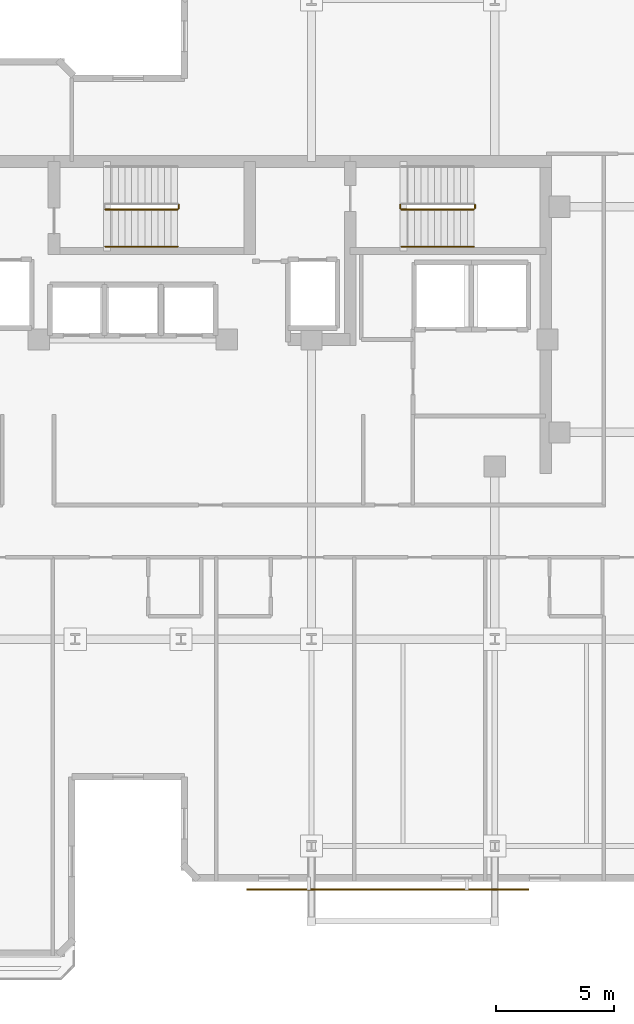
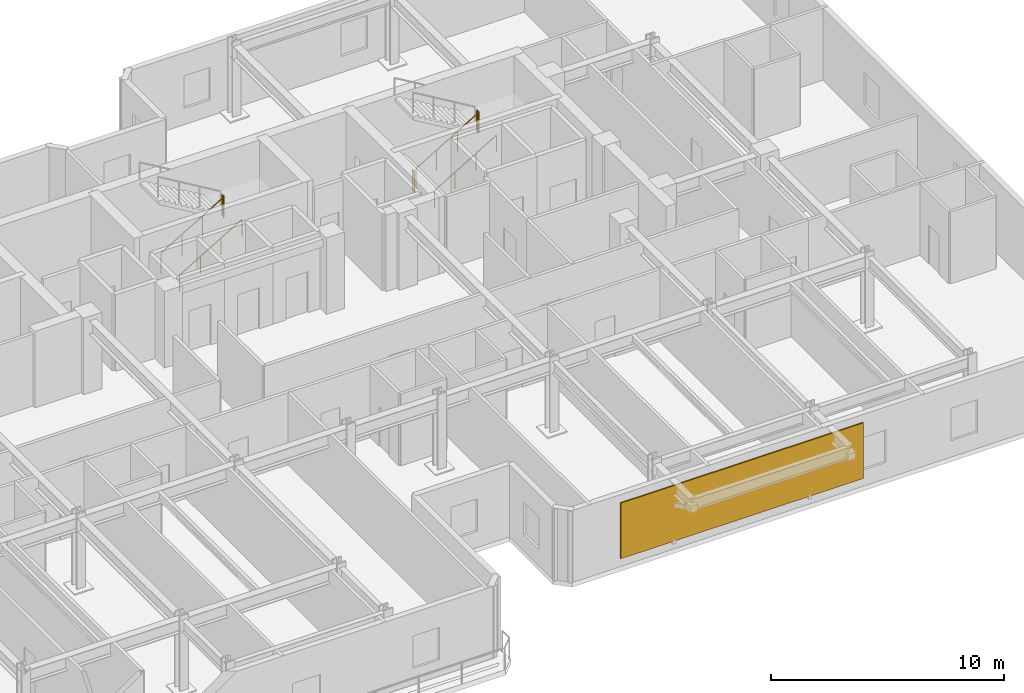
# One storey, part 12 of 13: 7 railings, 1 shading device.
"""IFC4 building model written with IfcOpenShell, lengths in metres."""

from ifc_helpers import new_model, si_unit, direction, frame, origin, origin_2d, place, context, subcontext, project, spatial, rectangle, circle, extrude, material, layer, layer_set, type_object, element, save


model = new_model("IFC4")

# Units and contexts
model_context = context("Model", 3, precision=1e-05, world=origin(), true_north=direction((0.0, 1.0)))
body_context = subcontext(model_context, "Body", "Model", "MODEL_VIEW")
ifc_project = project(units=[si_unit("LENGTHUNIT", "METRE"), si_unit("AREAUNIT", "SQUARE_METRE"), si_unit("VOLUMEUNIT", "CUBIC_METRE"), si_unit("PLANEANGLEUNIT", "RADIAN"), si_unit("MASSUNIT", "GRAM", prefix="KILO")], contexts=[model_context])

# Site, building, storey
site_placement = place(None, origin())
site = spatial("IfcSite", under=ifc_project, at=site_placement, CompositionType="ELEMENT")
building_placement = place(site_placement, origin())
building = spatial("IfcBuilding", under=site, at=building_placement, Name="Kestravale Grand Hotel", CompositionType="ELEMENT")
storey_placement = place(building_placement, frame((0.0, 0.0, 245.39990234375)))
storey = spatial("IfcBuildingStorey", under=building, at=storey_placement, Name="L61", CompositionType="ELEMENT", Elevation=245.39990234375)

# Railings
ifc_material_1 = material(Name="Painted tubular steel stair well guard", Category="steel")
railing_type_1 = type_object("IfcRailingType", Name="RL-ST-GRD1100", PredefinedType="GUARDRAIL", material=ifc_material_1)
railing_1_placement = place(storey_placement, frame((38.030029296875, 38.280029296875, 0.166748046875)))
element("IfcRailing", 1, at=railing_1_placement, inside=storey, type_object=railing_type_1, Name="L61 ST-2 stair guard 1", PredefinedType="GUARDRAIL", context=body_context, shape_type="SweptSolid", body=[
    extrude(circle(Radius=0.02392578125, at=origin_2d()), frame((0.0, 0.0, 1.076171875), z_axis=(0.859308565015, 0.0, 0.511457515432), x_axis=(0.0, 1.0, 0.0)), (0.0, 0.0, 1.0), 3.58447265625),
    extrude(circle(Radius=0.02099609375, at=origin_2d()), origin(), (0.0, 0.0, 1.0), 1.052001953125),
    extrude(circle(Radius=0.02099609375, at=origin_2d()), frame((1.026611328125, 0.0, 0.611083984375)), (0.0, 0.0, 1.0), 1.052001953125),
    extrude(circle(Radius=0.02099609375, at=origin_2d()), frame((2.053466796875, 0.0, 1.22216796875)), (0.0, 0.0, 1.0), 1.052001953125),
    extrude(circle(Radius=0.02099609375, at=origin_2d()), frame((3.080078125, 0.0, 1.833251953125)), (0.0, 0.0, 1.0), 1.052001953125),
])
railing_2_placement = place(storey_placement, frame((41.159912109375, 38.330078125, 2.0)))
element("IfcRailing", 2, at=railing_2_placement, inside=storey, type_object=railing_type_1, Name="L61 ST-2 stair guard 2", PredefinedType="GUARDRAIL", context=body_context, shape_type="SweptSolid", body=[
    extrude(circle(Radius=0.02392578125, at=origin_2d()), frame((0.0, 0.0, 1.076171875), z_axis=(0.0, 1.0, 0.0), x_axis=(-1.0, 0.0, 0.0)), (0.0, 0.0, 1.0), 0.14990234375),
    extrude(circle(Radius=0.02099609375, at=origin_2d()), origin(), (0.0, 0.0, 1.0), 1.052001953125),
    extrude(circle(Radius=0.02099609375, at=origin_2d()), frame((0.0, 0.14990234375, 0.0)), (0.0, 0.0, 1.0), 1.052001953125),
])
railing_3_placement = place(storey_placement, frame((50.6298828125, 38.280029296875, 0.166748046875)))
element("IfcRailing", 3, at=railing_3_placement, inside=storey, type_object=railing_type_1, Name="L61 ST-3 stair guard 1", PredefinedType="GUARDRAIL", context=body_context, shape_type="SweptSolid", body=[
    extrude(circle(Radius=0.02392578125, at=origin_2d()), frame((0.0, 0.0, 1.076171875), z_axis=(0.859308565015, 0.0, 0.511457515432), x_axis=(0.0, 1.0, 0.0)), (0.0, 0.0, 1.0), 3.58447265625),
    extrude(circle(Radius=0.02099609375, at=origin_2d()), origin(), (0.0, 0.0, 1.0), 1.052001953125),
    extrude(circle(Radius=0.02099609375, at=origin_2d()), frame((1.026611328125, 0.0, 0.611083984375)), (0.0, 0.0, 1.0), 1.052001953125),
    extrude(circle(Radius=0.02099609375, at=origin_2d()), frame((2.053466796875, 0.0, 1.22216796875)), (0.0, 0.0, 1.0), 1.052001953125),
    extrude(circle(Radius=0.02099609375, at=origin_2d()), frame((3.080078125, 0.0, 1.833251953125)), (0.0, 0.0, 1.0), 1.052001953125),
])
for number, where, name in (
    (4, (53.760009765625, 38.330078125, 2.0), "L61 ST-3 stair guard 2"),
    (5, (50.580078125, 38.330078125, 0.0), "L61 ST-3 stair guard 4"),
):
    element("IfcRailing", number, at=place(storey_placement, frame(where)), inside=storey, type_object=railing_type_1, Name=name, PredefinedType="GUARDRAIL", context=body_context, shape_type="SweptSolid", body=[
        extrude(circle(Radius=0.02392578125, at=origin_2d()), frame((0.0, 0.0, 1.076171875), z_axis=(0.0, 1.0, 0.0), x_axis=(-1.0, 0.0, 0.0)), (0.0, 0.0, 1.0), 0.14990234375),
        extrude(circle(Radius=0.02099609375, at=origin_2d()), origin(), (0.0, 0.0, 1.0), 1.052001953125),
        extrude(circle(Radius=0.02099609375, at=origin_2d()), frame((0.0, 0.14990234375, 0.0)), (0.0, 0.0, 1.0), 1.052001953125),
    ])
ifc_material_2 = material(Name="Brushed stainless steel wall handrail", Category="steel")
railing_type_2 = type_object("IfcRailingType", Name="RL-ST-HND900", PredefinedType="HANDRAIL", material=ifc_material_2)
for number, where, name in (
    (6, (38.030029296875, 36.699951171875, 0.166748046875), "L61 ST-2 stair handrail 1"),
    (7, (50.6298828125, 36.699951171875, 0.166748046875), "L61 ST-3 stair handrail 1"),
):
    element("IfcRailing", number, at=place(storey_placement, frame(where)), inside=storey, type_object=railing_type_2, Name=name, PredefinedType="HANDRAIL", context=body_context, shape_type="SweptSolid", body=[
        extrude(circle(Radius=0.02392578125, at=origin_2d()), frame((0.0, 0.0, 0.8759765625), z_axis=(0.859308565015, 0.0, 0.511457515432), x_axis=(0.0, 1.0, 0.0)), (0.0, 0.0, 1.0), 3.58447265625),
        extrude(circle(Radius=0.02099609375, at=origin_2d()), origin(), (0.0, 0.0, 1.0), 0.851806640625),
        extrude(circle(Radius=0.02099609375, at=origin_2d()), frame((1.026611328125, 0.0, 0.611083984375)), (0.0, 0.0, 1.0), 0.851806640625),
        extrude(circle(Radius=0.02099609375, at=origin_2d()), frame((2.053466796875, 0.0, 1.22216796875)), (0.0, 0.0, 1.0), 0.851806640625),
        extrude(circle(Radius=0.02099609375, at=origin_2d()), frame((3.080078125, 0.0, 1.833251953125)), (0.0, 0.0, 1.0), 0.851806640625),
    ])

# Shading device
ifc_material_3 = material(Name="Perforated champagne-bronze aluminium and ceramic solar screen", Category="aluminium")
ifc_layer = layer(ifc_material_3, 0.06494140625)
ifc_layer_set = layer_set([ifc_layer], Name="SHD-SCR-CHEV")
shading_device_type = type_object("IfcShadingDeviceType", Name="SHD-SCR-CHEV", PredefinedType="USERDEFINED", material=ifc_layer_set)
shading_device_placement = place(storey_placement, frame((50.050048828125, 9.360107421875, 0.7001953125), z_axis=(0.0, 0.0, 1.0), x_axis=(1.0, 0.0, 0.0)))
element("IfcShadingDevice", 8, at=shading_device_placement, inside=storey, type_object=shading_device_type, Name="L61 Perforated bronze ceramic chevron solar screen SCR-L61-07", ObjectType="SCREEN", PredefinedType="USERDEFINED", context=body_context, shape_type="SweptSolid", body=[
    extrude(rectangle(XDim=12.0, YDim=0.06494140625, at=origin_2d()), origin(), (0.0, 0.0, 1.0), 2.909912109375),
])

save(model, "model.ifc")
